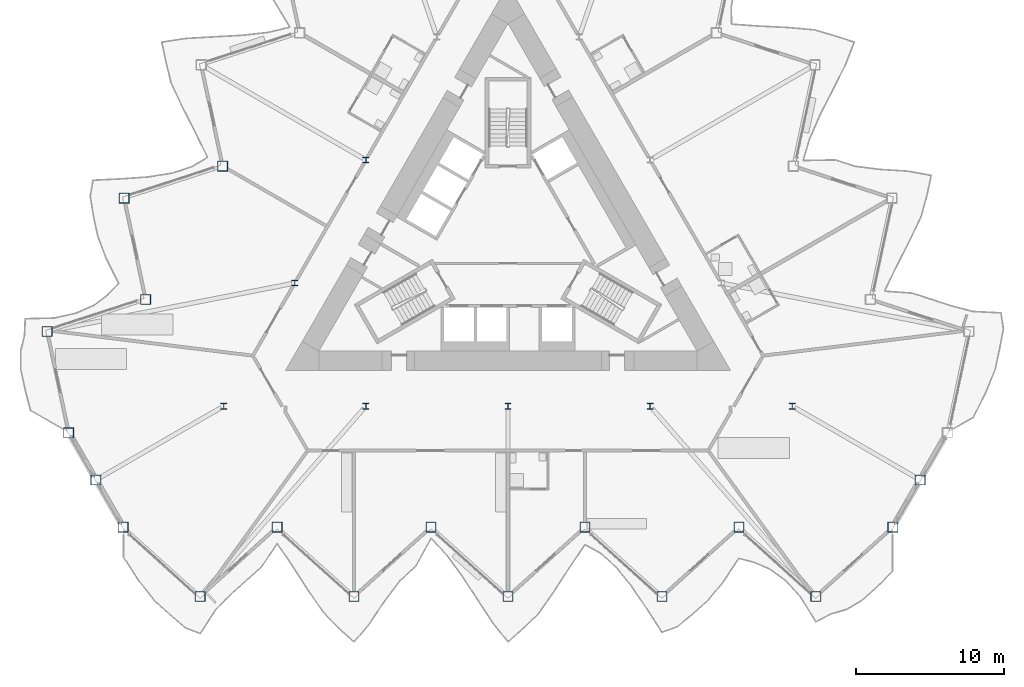
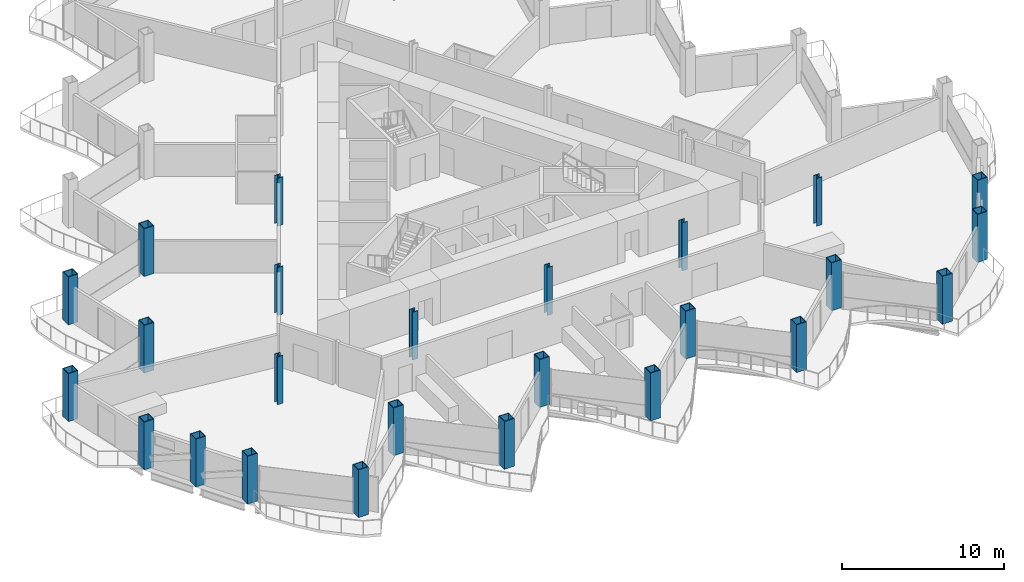
# One storey, part 1 of 24: 25 columns.
"""IFC4 building model written with IfcOpenShell, lengths in metres."""

import ifcopenshell
import ifcopenshell.guid

model = None  # the IFC model being written
_history = None  # IfcOwnerHistory: only IFC2X3 demands one
_inside = {}  # id of a spatial element -> (the spatial element, [elements in it])
_under = {}  # id of a project, library or spatial element -> (it, [spatial elements below it])
_declared = {}  # id of a project -> (the project, [libraries it declares])
_typed = {}  # id of a type object -> (the type object, [elements of that type])
_made_of = {}  # id of a material, layer set ... -> (it, [elements and type objects made of it])


def new_model(schema):
    """Start an empty IFC model of exactly this schema.

    Asked for "IFC4X3", IfcOpenShell would pick the latest addendum, in which some entities
    have other attributes; the version numbers below select the first issue.
    IFC2X3 requires an IfcOwnerHistory on every rooted entity: one is made here for all.
    """
    global model, _history
    if schema == "IFC4X3":
        model = ifcopenshell.file(schema_version=(4, 3, 0, 0))
    else:
        model = ifcopenshell.file(schema=schema)
    _inside.clear()
    _under.clear()
    _declared.clear()
    _typed.clear()
    _made_of.clear()
    _history = None
    if model.schema == "IFC2X3":
        org = make("IfcOrganization", Name="unknown")
        user = make(
            "IfcPersonAndOrganization",
            ThePerson=make("IfcPerson", FamilyName="unknown"),
            TheOrganization=org,
        )
        app = make(
            "IfcApplication",
            ApplicationDeveloper=org,
            Version="unknown",
            ApplicationFullName="unknown",
            ApplicationIdentifier="unknown",
        )
        _history = make(
            "IfcOwnerHistory",
            OwningUser=user,
            OwningApplication=app,
            ChangeAction="ADDED",
            CreationDate=0,
        )
    return model


def make(cls, **values):
    """One entity of the class cls with the attributes given. An attribute that is None is left unset."""
    return model.create_entity(
        cls, **{name: value for name, value in values.items() if value is not None}
    )


def rooted(cls, **values):
    """An entity with a GlobalId (a new one), such as an element, a storey or a relation."""
    return make(cls, GlobalId=ifcopenshell.guid.new(), OwnerHistory=_history, **values)


def si_unit(unit_type, name, prefix=None):
    """IfcSIUnit, for example si_unit("LENGTHUNIT", "METRE", prefix="MILLI")."""
    return make("IfcSIUnit", UnitType=unit_type, Prefix=prefix, Name=name)


def assignment(units):
    """IfcUnitAssignment: the units of a project."""
    return None if units is None else make("IfcUnitAssignment", Units=units)


def point(xyz):
    """IfcCartesianPoint."""
    return None if xyz is None else make("IfcCartesianPoint", Coordinates=xyz)


def direction(xyz):
    """IfcDirection."""
    return None if xyz is None else make("IfcDirection", DirectionRatios=xyz)


def frame(location, z_axis=None, x_axis=None):
    """IfcAxis2Placement3D, a coordinate frame: its origin and axes. An axis left out is left unset."""
    return make(
        "IfcAxis2Placement3D",
        Location=point(location),
        Axis=direction(z_axis),
        RefDirection=direction(x_axis),
    )


def frame_2d(location, x_axis=None):
    """IfcAxis2Placement2D, a coordinate frame in the plane: its origin and x axis."""
    return make(
        "IfcAxis2Placement2D", Location=point(location), RefDirection=direction(x_axis)
    )


def origin():
    """The frame at (0, 0, 0) with its axes left unset."""
    return frame((0.0, 0.0, 0.0))


def origin_2d():
    """The frame at (0, 0) in the plane with its x axis left unset."""
    return frame_2d((0.0, 0.0))


def place(relative_to, where):
    """IfcLocalPlacement: puts the frame where relative to a parent placement (None: the world)."""
    return make(
        "IfcLocalPlacement", PlacementRelTo=relative_to, RelativePlacement=where
    )


def context(
    kind, dimensions, precision=None, world=None, true_north=None, identifier=None
):
    """IfcGeometricRepresentationContext, for example the 3D "Model" context."""
    return make(
        "IfcGeometricRepresentationContext",
        ContextIdentifier=identifier,
        ContextType=kind,
        CoordinateSpaceDimension=dimensions,
        Precision=precision,
        WorldCoordinateSystem=world,
        TrueNorth=true_north,
    )


def subcontext(parent, identifier, kind, view, scale=None):
    """IfcGeometricRepresentationSubContext, for example "Body" below "Model"."""
    return make(
        "IfcGeometricRepresentationSubContext",
        ContextIdentifier=identifier,
        ContextType=kind,
        ParentContext=parent,
        TargetScale=scale,
        TargetView=view,
    )


def project(units=None, contexts=None):
    """IfcProject with its units and contexts."""
    return rooted(
        "IfcProject",
        Name="project",
        RepresentationContexts=contexts,
        UnitsInContext=assignment(units),
    )


def spatial(cls, under=None, at=None, **own):
    """A site, building, storey or space (cls), placed at a placement, below another one or the project."""
    s = rooted(cls, ObjectPlacement=at, **own)
    if under is not None:
        _under.setdefault(under.id(), (under, []))[1].append(s)
    return s


def profile(cls, at=None, kind="AREA", **sizes):
    """A parametric profile (cls). Its sizes go by their IFC names, for example OverallWidth=200.0."""
    return make(cls, ProfileType=kind, Position=at, **sizes)


def hollow_rectangle(**sizes):
    """IfcRectangleHollowProfileDef."""
    return profile("IfcRectangleHollowProfileDef", **sizes)


def i_section(**sizes):
    """IfcIShapeProfileDef."""
    return profile("IfcIShapeProfileDef", **sizes)


def extrude(swept, where, along, depth):
    """IfcExtrudedAreaSolid: the profile swept, set in the frame where, extruded along a direction by depth."""
    return make(
        "IfcExtrudedAreaSolid",
        SweptArea=swept,
        Position=where,
        ExtrudedDirection=direction(along),
        Depth=depth,
    )


def shape(context_of_items, identifier, shape_type, items):
    """IfcShapeRepresentation: the items that make up one representation, for example the "Body"."""
    return make(
        "IfcShapeRepresentation",
        ContextOfItems=context_of_items,
        RepresentationIdentifier=identifier,
        RepresentationType=shape_type,
        Items=items,
    )


def material(Name=None, Category=None):
    """IfcMaterial."""
    return make("IfcMaterial", Name=Name, Category=Category)


def material_profile(
    of_material, cross_section, Name=None, Category=None, Priority=None
):
    """IfcMaterialProfile: a cross section and its material."""
    return make(
        "IfcMaterialProfile",
        Name=Name,
        Material=of_material,
        Profile=cross_section,
        Priority=Priority,
        Category=Category,
    )


def profile_set(profiles, Name=None, composite=None):
    """IfcMaterialProfileSet."""
    return make(
        "IfcMaterialProfileSet",
        Name=Name,
        MaterialProfiles=profiles,
        CompositeProfile=composite,
    )


def made_of(thing, what):
    """Note that an element or type object is made of a material, layer set ...; save() writes the relation."""
    if what is not None:
        _made_of.setdefault(what.id(), (what, []))[1].append(thing)
    return thing


def type_object(cls, material=None, **own):
    """A type object (cls), such as IfcWallType, which elements share."""
    return made_of(rooted(cls, **own), material)


def element(
    cls,
    number,
    at=None,
    inside=None,
    cuts=None,
    type_object=None,
    material=None,
    context=None,
    identifier="Body",
    shape_type=None,
    held_by="IfcProductDefinitionShape",
    body=None,
    shapes=None,
    **own,
):
    """One element of the class cls, such as IfcWall. Its Tag is "e" and its number.

    at: its placement. inside: the storey or other place that contains it. cuts: it is an
    opening in that element (IfcRelVoidsElement). A single representation is given by context,
    identifier, shape_type and body (its items); several are given by shapes. held_by: the class
    of the entity that holds the representations. save() writes the other relations.
    """
    e = rooted(cls, Tag="e%d" % number, ObjectPlacement=at, **own)
    if body is not None:
        shapes = [shape(context, identifier, shape_type, body)]
    if shapes is not None:
        e.Representation = make(held_by, Representations=shapes)
    if inside is not None:
        _inside.setdefault(inside.id(), (inside, []))[1].append(e)
    if cuts is not None:
        rooted(
            "IfcRelVoidsElement", RelatingBuildingElement=cuts, RelatedOpeningElement=e
        )
    if type_object is not None:
        _typed.setdefault(type_object.id(), (type_object, []))[1].append(e)
    return made_of(e, material)


def aggregate(whole, parts):
    """IfcRelAggregates: a whole, such as a stair, and the parts it consists of."""
    return rooted("IfcRelAggregates", RelatingObject=whole, RelatedObjects=parts)


def save(model, path):
    """Write the relations noted so far, then the file.

    IfcRelAggregates (storeys below a building ...), IfcRelContainedInSpatialStructure (elements
    in a storey), IfcRelDefinesByType, IfcRelAssociatesMaterial and IfcRelDeclares: one each for
    every whole, place, type object, material and project.
    """
    for whole, parts in _under.values():
        aggregate(whole, parts)
    for where, things in _inside.values():
        rooted(
            "IfcRelContainedInSpatialStructure",
            RelatedElements=things,
            RelatingStructure=where,
        )
    for kind, things in _typed.values():
        rooted("IfcRelDefinesByType", RelatedObjects=things, RelatingType=kind)
    for what, things in _made_of.values():
        rooted("IfcRelAssociatesMaterial", RelatedObjects=things, RelatingMaterial=what)
    for by, libraries in _declared.values():
        rooted("IfcRelDeclares", RelatingContext=by, RelatedDefinitions=libraries)
    model.write(path)


model = new_model("IFC4")

# Units and contexts
model_context = context("Model", 3, precision=1e-05, world=origin(), true_north=direction((0.0, 1.0)))
body_context = subcontext(model_context, "Body", "Model", "MODEL_VIEW")
ifc_project = project(units=[si_unit("LENGTHUNIT", "METRE"), si_unit("AREAUNIT", "SQUARE_METRE"), si_unit("VOLUMEUNIT", "CUBIC_METRE"), si_unit("PLANEANGLEUNIT", "RADIAN"), si_unit("MASSUNIT", "GRAM", prefix="KILO")], contexts=[model_context])

# Site, building, storey
site_placement = place(None, origin())
site = spatial("IfcSite", under=ifc_project, at=site_placement, CompositionType="ELEMENT")
building_placement = place(site_placement, origin())
building = spatial("IfcBuilding", under=site, at=building_placement, Name="Cormorant Prow Tower", CompositionType="ELEMENT")
storey_placement = place(building_placement, frame((0.0, 0.0, 270.60009765625)))
storey = spatial("IfcBuildingStorey", under=building, at=storey_placement, Name="L61", CompositionType="ELEMENT", Elevation=270.60009765625)

# Columns
ifc_material_1 = material(Name="Structural steel ASTM A572 Gr 50", Category="steel")
ifc_material_profile_1 = material_profile(ifc_material_1, hollow_rectangle(XDim=0.699951171875, YDim=0.699951171875, WallThickness=0.044921875, at=origin_2d()), Name="Box 700x700x45")
ifc_profile_set_1 = profile_set([ifc_material_profile_1], Name="Structural steel ASTM A572 Gr 50")
column_type_1 = type_object("IfcColumnType", Name="Perimeter box column 700x700x45", PredefinedType="COLUMN", material=ifc_profile_set_1)
for number, where, z_axis, x_axis, name in (
    (1, (-25.941162109375, -19.21533203125, 0.0), (0.0, 0.0, 1.0), (1.0, 0.0, 0.0), "Perimeter column C5 at S00 L61"),
    (2, (-20.7529296875, -23.886962890625, 0.0), (0.0, 0.0, 1.0), (1.0, 0.0, 0.0), "Perimeter column C5 at S01 L61"),
    (3, (-15.564697265625, -19.21533203125, 0.0), (0.0, 0.0, 1.0), (1.0, 0.0, 0.0), "Perimeter column C5 at S02 L61"),
    (4, (-10.37646484375, -23.886962890625, 0.0), (0.0, 0.0, 1.0), (1.0, 0.0, 0.0), "Perimeter column C5 at S03 L61"),
    (5, (-5.188232421875, -19.21533203125, 0.0), (0.0, 0.0, 1.0), (1.0, 0.0, 0.0), "Perimeter column C5 at S04 L61"),
    (6, (0.0, -23.886962890625, 0.0), (0.0, 0.0, 1.0), (1.0, 0.0, 0.0), "Perimeter column C5 at S05 L61"),
    (7, (5.188232421875, -19.21533203125, 0.0), (0.0, 0.0, 1.0), (1.0, 0.0, 0.0), "Perimeter column C5 at S06 L61"),
    (8, (10.37646484375, -23.886962890625, 0.0), (0.0, 0.0, 1.0), (1.0, 0.0, 0.0), "Perimeter column C5 at S07 L61"),
    (9, (15.564697265625, -19.21533203125, 0.0), (0.0, 0.0, 1.0), (1.0, 0.0, 0.0), "Perimeter column C5 at S08 L61"),
    (10, (20.7529296875, -23.886962890625, 0.0), (0.0, 0.0, 1.0), (1.0, 0.0, 0.0), "Perimeter column C5 at S09 L61"),
    (11, (25.941162109375, -19.21533203125, 0.0), (0.0, 0.0, 1.0), (1.0, 0.0, 0.0), "Perimeter column C5 at ESE00 L61"),
    (12, (27.7763671875, -16.03662109375, 0.0), (0.0, 0.0, 1.0), (1.0, 0.0, 0.0), "Perimeter column C5 at ESE01 L61"),
    (13, (-19.235107421875, 5.114501953125, 0.0), (0.0, 0.0, 1.0), (1.0, 0.0, 0.0), "Perimeter column C5 at WNW06 L61"),
    (14, (-25.875, 2.957275390625, 0.0), (0.0, 0.0, 1.0), (1.0, 0.0, 0.0), "Perimeter column C5 at WNW07 L61"),
    (15, (-24.42333984375, -3.871826171875, 0.0), (0.0, 0.0, 1.0), (1.0, 0.0, 0.0), "Perimeter column C5 at WNW08 L61"),
    (16, (-31.063232421875, -6.029052734375, 0.0), (0.0, 0.0, 1.0), (1.0, 0.0, 0.0), "Perimeter column C5 at WNW09 L61"),
    (17, (-29.611572265625, -12.858154296875, 0.0), (0.0, 0.0, 1.0), (1.0, 0.0, 0.0), "Perimeter column C5 at WSW00 L61"),
    (18, (-27.7763671875, -16.03662109375, 0.0), (0.0, 0.0, 1.0), (1.0, 0.0, 0.0), "Perimeter column C5 at WSW01 L61"),
):
    element("IfcColumn", number, at=place(storey_placement, frame(where, z_axis=z_axis, x_axis=x_axis)), inside=storey, type_object=column_type_1, Name=name, PredefinedType="COLUMN", context=body_context, shape_type="SweptSolid", body=[
        extrude(hollow_rectangle(XDim=0.699951171875, YDim=0.699951171875, WallThickness=0.044921875, at=origin_2d()), origin(), (0.0, 0.0, 1.0), 3.599853515625),
    ])
ifc_material_2 = material(Name="Structural steel ASTM A992 Gr 50", Category="steel")
ifc_material_profile_2 = material_profile(ifc_material_2, i_section(OverallWidth=0.39892578125, OverallDepth=0.393310546875, WebThickness=0.022705078125, FlangeThickness=0.03662109375, at=origin_2d()), Name="W14x193")
ifc_profile_set_2 = profile_set([ifc_material_profile_2], Name="Structural steel ASTM A992 Gr 50")
column_type_2 = type_object("IfcColumnType", Name="Ring column W14x193", PredefinedType="COLUMN", material=ifc_profile_set_2)
for number, where, z_axis, x_axis, name in (
    (19, (-9.578369140625, 5.530029296875, 0.0), (0.0, 0.0, 1.0), (1.0, 0.0, 0.0), "Ring column 3 L61"),
    (20, (-14.36767578125, -2.76513671875, 0.0), (0.0, 0.0, 1.0), (1.0, 0.0, 0.0), "Ring column 4 L61"),
    (21, (-19.156982421875, -11.060302734375, 0.0), (0.0, 0.0, 1.0), (1.0, 0.0, 0.0), "Ring column 5 L61"),
    (22, (-9.578369140625, -11.060302734375, 0.0), (0.0, 0.0, 1.0), (1.0, 0.0, 0.0), "Ring column 6 L61"),
    (23, (0.0, -11.060302734375, 0.0), (0.0, 0.0, 1.0), (1.0, 0.0, 0.0), "Ring column 7 L61"),
    (24, (9.578369140625, -11.060302734375, 0.0), (0.0, 0.0, 1.0), (1.0, 0.0, 0.0), "Ring column 8 L61"),
    (25, (19.156982421875, -11.060302734375, 0.0), (0.0, 0.0, 1.0), (1.0, 0.0, 0.0), "Ring column 9 L61"),
):
    element("IfcColumn", number, at=place(storey_placement, frame(where, z_axis=z_axis, x_axis=x_axis)), inside=storey, type_object=column_type_2, Name=name, PredefinedType="COLUMN", context=body_context, shape_type="SweptSolid", body=[
        extrude(i_section(OverallWidth=0.39892578125, OverallDepth=0.393310546875, WebThickness=0.022705078125, FlangeThickness=0.03662109375, at=origin_2d()), origin(), (0.0, 0.0, 1.0), 3.599853515625),
    ])

save(model, "model.ifc")
